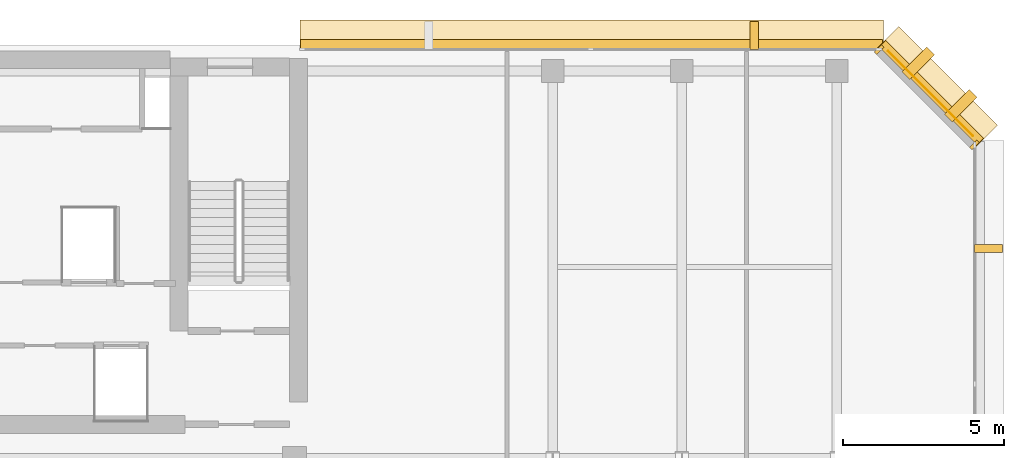
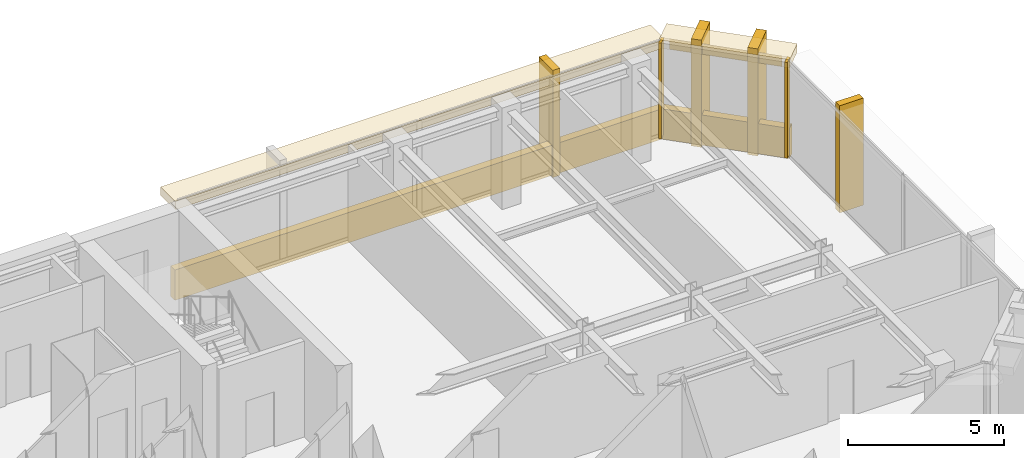
# One storey, part 11 of 11: 11 coverings.
"""IFC4 building model written with IfcOpenShell, lengths in metres."""

from ifc_helpers import new_model, si_unit, direction, frame, origin, origin_2d, place, context, subcontext, project, spatial, rectangle, extrude, material, layer, layer_set, type_object, element, save


model = new_model("IFC4")

# Units and contexts
model_context = context("Model", 3, precision=1e-05, world=origin(), true_north=direction((0.0, 1.0)))
body_context = subcontext(model_context, "Body", "Model", "MODEL_VIEW")
ifc_project = project(units=[si_unit("LENGTHUNIT", "METRE"), si_unit("AREAUNIT", "SQUARE_METRE"), si_unit("VOLUMEUNIT", "CUBIC_METRE"), si_unit("PLANEANGLEUNIT", "RADIAN"), si_unit("MASSUNIT", "GRAM", prefix="KILO")], contexts=[model_context])

# Site, building, storey
site_placement = place(None, origin())
site = spatial("IfcSite", under=ifc_project, at=site_placement, CompositionType="ELEMENT")
building_placement = place(site_placement, origin())
building = spatial("IfcBuilding", under=site, at=building_placement, Name="Kefirva Bronze Tower", CompositionType="ELEMENT")
storey_placement = place(building_placement, frame((0.0, 0.0, 307.889892578125)))
storey = spatial("IfcBuildingStorey", under=building, at=storey_placement, Name="L75", CompositionType="ELEMENT", Elevation=307.889892578125)

# Coverings
ifc_material = material(Name="Bronze anodised aluminium", Category="aluminium")
ifc_layer_1 = layer(ifc_material, 0.02001953125, Name="Bronze anodised aluminium")
ifc_layer_set_1 = layer_set([ifc_layer_1], Name="Bronze anodised aluminium")
covering_type_1 = type_object("IfcCoveringType", Name="Anodised Bronze Spandrel Cladding 20mm", PredefinedType="CLADDING", material=ifc_layer_set_1)
covering_1_placement = place(storey_placement, frame((42.906982421875, 44.507080078125, 3.320068359375), z_axis=(0.0, 0.0, 1.0), x_axis=(-0.707106781187, 0.707106781187, 0.0)))
element("IfcCovering", 1, at=covering_1_placement, inside=storey, type_object=covering_type_1, Name="L75 Bronze Spandrel Cladding 5", PredefinedType="CLADDING", context=body_context, shape_type="SweptSolid", body=[
    extrude(rectangle(XDim=3.719482421875, YDim=0.02001953125, at=origin_2d()), origin(), (0.0, 0.0, 1.0), 0.39990234375),
])
for number, where, z_axis, x_axis, name in (
    (2, (44.26220703125, 42.91162109375, 0.0), (0.0, 0.0, 1.0), (-0.707106781187, 0.707106781187, 0.0), "L75 Facade Joint Closure Panel 5S"),
    (3, (41.311767578125, 45.862060546875, 0.0), (0.0, 0.0, 1.0), (-0.707106781187, 0.707106781187, 0.0), "L75 Facade Joint Closure Panel 5E"),
):
    element("IfcCovering", number, at=place(storey_placement, frame(where, z_axis=z_axis, x_axis=x_axis)), inside=storey, type_object=covering_type_1, Name=name, PredefinedType="CLADDING", context=body_context, shape_type="SweptSolid", body=[
        extrude(rectangle(XDim=0.10009765625, YDim=0.320068359375, at=origin_2d()), origin(), (0.0, 0.0, 1.0), 3.739990234375),
    ])
covering_2_placement = place(storey_placement, frame((42.92822265625, 44.5283203125, -0.15966796875), z_axis=(0.0, 0.0, 1.0), x_axis=(-0.707106781187, 0.707106781187, 0.0)))
element("IfcCovering", 4, at=covering_2_placement, inside=storey, type_object=covering_type_1, Name="L75 Streamline Horizontal Spandrel Band 7", PredefinedType="CLADDING", context=body_context, shape_type="SweptSolid", body=[
    extrude(rectangle(XDim=4.28271484375, YDim=0.280029296875, at=origin_2d()), origin(), (0.0, 0.0, 1.0), 1.179931640625),
])
covering_3_placement = place(storey_placement, frame((32.402587890625, 46.0400390625, -0.15966796875), z_axis=(0.0, 0.0, 1.0), x_axis=(-1.0, 0.0, 0.0)))
element("IfcCovering", 5, at=covering_3_placement, inside=storey, type_object=covering_type_1, Name="L75 Streamline Horizontal Spandrel Band 8", PredefinedType="CLADDING", context=body_context, shape_type="SweptSolid", body=[
    extrude(rectangle(XDim=18.034912109375, YDim=0.280029296875, at=origin_2d()), origin(), (0.0, 0.0, 1.0), 1.179931640625),
])
ifc_layer_2 = layer(ifc_material, 0.179931640625, Name="Bronze anodised aluminium")
ifc_layer_set_2 = layer_set([ifc_layer_2], Name="Bronze anodised aluminium")
covering_type_2 = type_object("IfcCoveringType", Name="Streamline Bronze Sunshade Eyebrow Cladding 180mm", PredefinedType="CLADDING", material=ifc_layer_set_2)
covering_4_placement = place(storey_placement, frame((43.119140625, 44.71923828125, 3.419921875), z_axis=(0.0, 0.0, 1.0), x_axis=(-0.707106781187, 0.707106781187, 0.0)))
element("IfcCovering", 6, at=covering_4_placement, inside=storey, type_object=covering_type_2, Name="L75 Streamline Bronze Sunshade Eyebrow 7", PredefinedType="CLADDING", context=body_context, shape_type="SweptSolid", body=[
    extrude(rectangle(XDim=4.322509765625, YDim=0.93994140625, at=origin_2d()), origin(), (0.0, 0.0, 1.0), 0.320068359375),
])
covering_5_placement = place(storey_placement, frame((32.402587890625, 46.31005859375, 3.419921875), z_axis=(0.0, 0.0, 1.0), x_axis=(-1.0, 0.0, 0.0)))
element("IfcCovering", 7, at=covering_5_placement, inside=storey, type_object=covering_type_2, Name="L75 Streamline Bronze Sunshade Eyebrow 8", PredefinedType="CLADDING", context=body_context, shape_type="SweptSolid", body=[
    extrude(rectangle(XDim=18.074951171875, YDim=0.93994140625, at=origin_2d()), origin(), (0.0, 0.0, 1.0), 0.320068359375),
])
ifc_layer_3 = layer(ifc_material, 0.260009765625, Name="Bronze anodised aluminium")
ifc_layer_set_3 = layer_set([ifc_layer_3], Name="Bronze anodised aluminium")
covering_type_3 = type_object("IfcCoveringType", Name="Unbroken Bronze Buttress Fin Cladding 260mm", PredefinedType="CLADDING", material=ifc_layer_set_3)
covering_6_placement = place(storey_placement, frame((44.699951171875, 39.699951171875, -0.2197265625), z_axis=(0.0, 0.0, 1.0), x_axis=(0.0, 1.0, 0.0)))
element("IfcCovering", 8, at=covering_6_placement, inside=storey, type_object=covering_type_3, Name="L75 Unbroken Vertical Bronze Rib Fin 14", PredefinedType="CLADDING", context=body_context, shape_type="SweptSolid", body=[
    extrude(rectangle(XDim=0.260009765625, YDim=0.8798828125, at=origin_2d()), origin(), (0.0, 0.0, 1.0), 4.179931640625),
])
for number, where, z_axis, x_axis, name in (
    (9, (43.8427734375, 44.122802734375, -0.2197265625), (0.0, 0.0, 1.0), (-0.707106781187, 0.707106781187, 0.0), "L75 Chamfered Corner Buttress Fin Cladding 15"),
    (10, (42.522705078125, 45.44287109375, -0.2197265625), (0.0, 0.0, 1.0), (-0.707106781187, 0.707106781187, 0.0), "L75 Chamfered Corner Buttress Fin Cladding 16"),
):
    element("IfcCovering", number, at=place(storey_placement, frame(where, z_axis=z_axis, x_axis=x_axis)), inside=storey, type_object=covering_type_3, Name=name, PredefinedType="CLADDING", context=body_context, shape_type="SweptSolid", body=[
        extrude(rectangle(XDim=0.340087890625, YDim=1.080078125, at=origin_2d()), origin(), (0.0, 0.0, 1.0), 4.179931640625),
    ])
covering_7_placement = place(storey_placement, frame((37.441162109375, 46.300048828125, -0.2197265625), z_axis=(0.0, 0.0, 1.0), x_axis=(-1.0, 0.0, 0.0)))
element("IfcCovering", 11, at=covering_7_placement, inside=storey, type_object=covering_type_3, Name="L75 Unbroken Vertical Bronze Rib Fin 17", PredefinedType="CLADDING", context=body_context, shape_type="SweptSolid", body=[
    extrude(rectangle(XDim=0.260009765625, YDim=0.8798828125, at=origin_2d()), origin(), (0.0, 0.0, 1.0), 4.179931640625),
])

save(model, "model.ifc")
